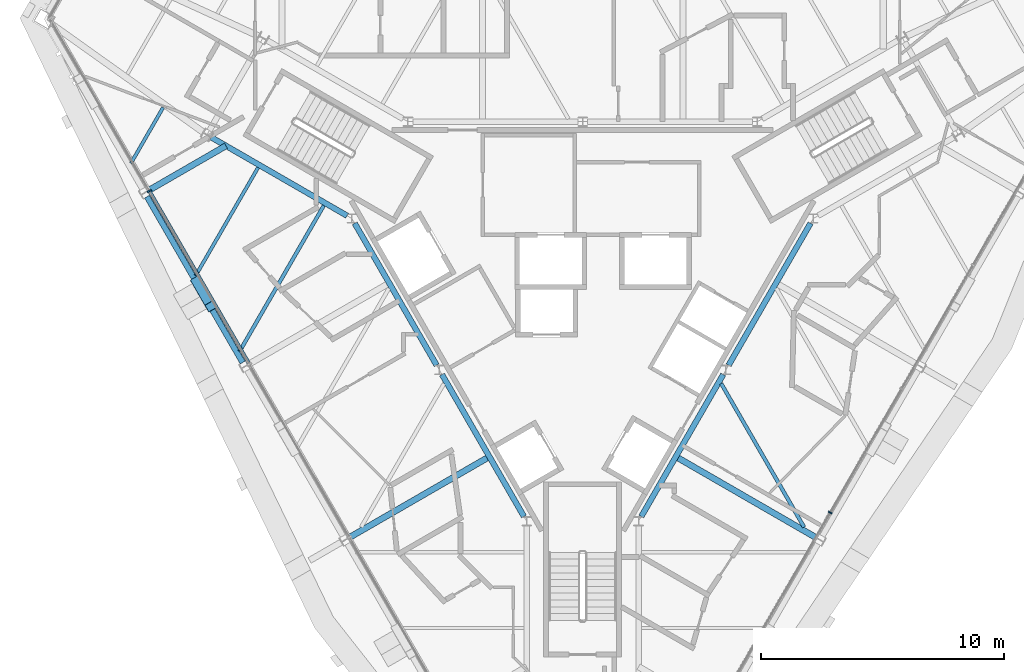
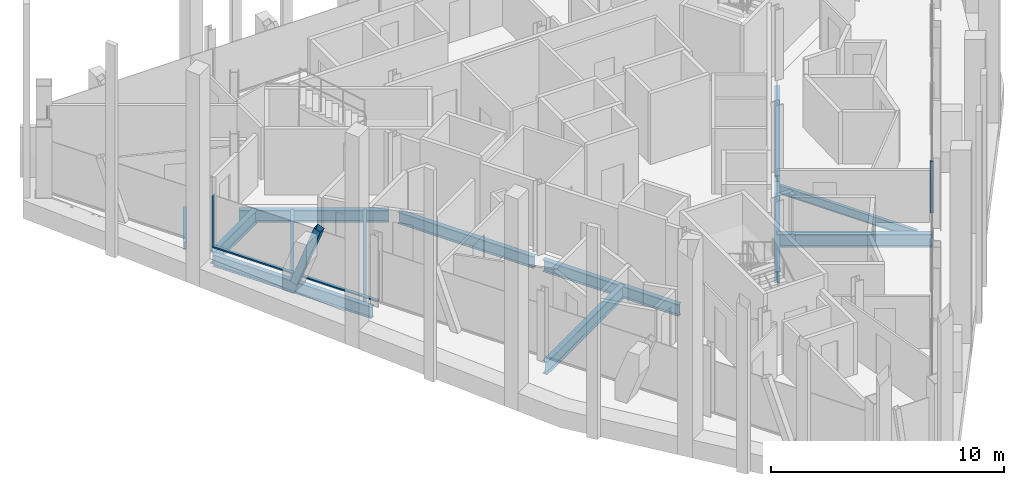
# One storey, part 4 of 15: 13 beams, 4 members, 2 elements without a shape of their own.
"""IFC4 building model written with IfcOpenShell, lengths in metres."""

from ifc_helpers import new_model, si_unit, direction, frame, origin, origin_2d, place, context, subcontext, project, spatial, rectangle, hollow_rectangle, i_section, extrude, material, material_profile, profile_set, type_object, element, aggregate, save


model = new_model("IFC4")

# Units and contexts
model_context = context("Model", 3, precision=1e-05, world=origin(), true_north=direction((0.0, 1.0)))
body_context = subcontext(model_context, "Body", "Model", "MODEL_VIEW")
ifc_project = project(units=[si_unit("LENGTHUNIT", "METRE"), si_unit("AREAUNIT", "SQUARE_METRE"), si_unit("VOLUMEUNIT", "CUBIC_METRE"), si_unit("PLANEANGLEUNIT", "RADIAN"), si_unit("MASSUNIT", "GRAM", prefix="KILO")], contexts=[model_context])

# Site, building, storey
site_placement = place(None, origin())
site = spatial("IfcSite", under=ifc_project, at=site_placement, CompositionType="ELEMENT")
building_placement = place(site_placement, origin())
building = spatial("IfcBuilding", under=site, at=building_placement, Name="Verrane Prism Tower", CompositionType="ELEMENT")
storey_placement = place(building_placement, frame((0.0, 0.0, 297.300048828125)))
storey = spatial("IfcBuildingStorey", under=building, at=storey_placement, Name="L75", CompositionType="ELEMENT", Elevation=297.300048828125)

# Beams
ifc_material_1 = material(Name="Steel A992", Category="steel")
ifc_material_profile_1 = material_profile(ifc_material_1, i_section(OverallWidth=0.23046875, OverallDepth=0.6171875, WebThickness=0.01318359375, FlangeThickness=0.022216796875, FilletRadius=0.012939453125, at=origin_2d()), Name="W24x94")
ifc_profile_set_1 = profile_set([ifc_material_profile_1], Name="Steel A992")
beam_type_1 = type_object("IfcBeamType", Name="Core ring girder W24x94", PredefinedType="BEAM", material=ifc_profile_set_1)
beam_1_placement = place(storey_placement, frame((-15.267333984375, 6.160400390625, -0.55859375), z_axis=(0.866080992722, -0.499903704773, 0.0), x_axis=(0.499903704773, 0.866080992722, 0.0)))
element("IfcBeam", 1, at=beam_1_placement, inside=storey, type_object=beam_type_1, Name="Core ring girder L75", PredefinedType="BEAM", context=body_context, shape_type="SweptSolid", body=[
    extrude(i_section(OverallWidth=0.23046875, OverallDepth=0.6171875, WebThickness=0.01318359375, FlangeThickness=0.022216796875, FilletRadius=0.012939453125, at=origin_2d()), origin(), (0.0, 0.0, 1.0), 6.451904296875),
])
for number, where, z_axis, x_axis, name in (
    (2, (-9.36865234375, 2.626953125, -0.55859375), (0.499881421193, -0.866093854468, 0.0), (0.866093854468, 0.499881421193, 0.0), "Core ring girder L75"),
    (3, (-5.778564453125, -3.593017578125, -0.55859375), (0.499881421193, -0.866093854468, 0.0), (0.866093854468, 0.499881421193, 0.0), "Core ring girder L75"),
    (4, (2.411376953125, -9.427001953125, -0.55859375), (0.499881421193, 0.866093854468, 0.0), (-0.866093854468, 0.499881421193, 0.0), "Core ring girder L75"),
    (5, (6.00146484375, -3.20703125, -0.55859375), (0.499881421193, 0.866093854468, 0.0), (-0.866093854468, 0.499881421193, 0.0), "Core ring girder L75"),
):
    element("IfcBeam", number, at=place(storey_placement, frame(where, z_axis=z_axis, x_axis=x_axis)), inside=storey, type_object=beam_type_1, Name=name, PredefinedType="BEAM", context=body_context, shape_type="SweptSolid", body=[
        extrude(i_section(OverallWidth=0.23046875, OverallDepth=0.6171875, WebThickness=0.01318359375, FlangeThickness=0.022216796875, FilletRadius=0.012939453125, at=origin_2d()), origin(), (0.0, 0.0, 1.0), 6.736083984375),
    ])

# Member
ifc_material_2 = material(Name="Steel A500 Grade C", Category="steel")
ifc_material_profile_2 = material_profile(ifc_material_2, hollow_rectangle(XDim=0.355712890625, YDim=0.355712890625, WallThickness=0.0126953125, InnerFilletRadius=0.00634765625, OuterFilletRadius=0.01904296875, at=origin_2d()), Name="HSS14x14x1/2")
ifc_profile_set_2 = profile_set([ifc_material_profile_2], Name="Steel A500 Grade C")
member_type_1 = type_object("IfcMemberType", Name="Facade brace HSS14x14x1/2", PredefinedType="BRACE", material=ifc_profile_set_2)
member_1_placement = place(storey_placement, frame((-15.893310546875, 0.22900390625, -0.216796875), z_axis=(0.17399901277, -0.301526684269, 0.937446532997), x_axis=(0.86613421761, 0.499811481546, 0.0)))
element("IfcMember", 6, at=member_1_placement, inside=storey, type_object=member_type_1, Name="Facade brace SW1 L75", PredefinedType="BRACE", context=body_context, shape_type="SweptSolid", body=[
    extrude(hollow_rectangle(XDim=0.355712890625, YDim=0.355712890625, WallThickness=0.0126953125, InnerFilletRadius=0.00634765625, OuterFilletRadius=0.01904296875, at=origin_2d()), origin(), (0.0, 0.0, 1.0), 3.40966796875),
])

# Beams
ifc_material_3 = material(Name="Steel A992", Category="steel")
ifc_material_profile_3 = material_profile(ifc_material_3, i_section(OverallWidth=0.140380859375, OverallDepth=0.40380859375, WebThickness=0.007080078125, FlangeThickness=0.01123046875, FilletRadius=0.01025390625, at=origin_2d()), Name="W16x31")
ifc_profile_set_3 = profile_set([ifc_material_profile_3], Name="Steel A992")
beam_type_2 = type_object("IfcBeamType", Name="Floor beam W16x31", PredefinedType="BEAM", material=ifc_profile_set_3)
beam_2_placement = place(storey_placement, frame((-18.565185546875, 5.089599609375, -0.362060546875), z_axis=(0.49994082229, 0.866059567356, 0.0), x_axis=(-0.866059567356, 0.49994082229, 0.0)))
element("IfcBeam", 7, at=beam_2_placement, inside=storey, type_object=beam_type_2, Name="Floor beam L75", PredefinedType="BEAM", context=body_context, shape_type="SweptSolid", body=[
    extrude(i_section(OverallWidth=0.140380859375, OverallDepth=0.40380859375, WebThickness=0.007080078125, FlangeThickness=0.01123046875, FilletRadius=0.01025390625, at=origin_2d()), origin(), (0.0, 0.0, 1.0), 2.645263671875),
])
beam_3_placement = place(storey_placement, frame((-15.902099609375, 0.474609375, -0.362060546875), z_axis=(0.500011000363, 0.866019052629, 0.0), x_axis=(-0.866019052629, 0.500011000363, 0.0)))
element("IfcBeam", 8, at=beam_3_placement, inside=storey, type_object=beam_type_2, Name="Floor beam L75", PredefinedType="BEAM", context=body_context, shape_type="SweptSolid", body=[
    extrude(i_section(OverallWidth=0.140380859375, OverallDepth=0.40380859375, WebThickness=0.007080078125, FlangeThickness=0.01123046875, FilletRadius=0.01025390625, at=origin_2d()), origin(), (0.0, 0.0, 1.0), 5.126953125),
])
ifc_material_4 = material(Name="Steel A992", Category="steel")
ifc_material_profile_4 = material_profile(ifc_material_4, i_section(OverallWidth=0.15234375, OverallDepth=0.449462890625, WebThickness=0.007568359375, FlangeThickness=0.0107421875, FilletRadius=0.01025390625, at=origin_2d()), Name="W18x35")
ifc_profile_set_4 = profile_set([ifc_material_profile_4], Name="Steel A992")
beam_type_3 = type_object("IfcBeamType", Name="Floor beam W18x35", PredefinedType="BEAM", material=ifc_profile_set_4)
beam_4_placement = place(storey_placement, frame((-14.1015625, -2.64599609375, -0.384765625), z_axis=(0.49999287541, 0.866029517129, 0.0), x_axis=(-0.866029517129, 0.49999287541, 0.0)))
element("IfcBeam", 9, at=beam_4_placement, inside=storey, type_object=beam_type_3, Name="Floor beam L75", PredefinedType="BEAM", context=body_context, shape_type="SweptSolid", body=[
    extrude(i_section(OverallWidth=0.15234375, OverallDepth=0.449462890625, WebThickness=0.007568359375, FlangeThickness=0.0107421875, FilletRadius=0.01025390625, at=origin_2d()), origin(), (0.0, 0.0, 1.0), 6.92919921875),
])
beam_5_placement = place(storey_placement, frame((9.103271484375, -9.864501953125, -0.384765625), z_axis=(-0.49999337185, 0.866029230515, 0.0), x_axis=(-0.866029230515, -0.49999337185, 0.0)))
element("IfcBeam", 10, at=beam_5_placement, inside=storey, type_object=beam_type_3, Name="Floor beam L75", PredefinedType="BEAM", context=body_context, shape_type="SweptSolid", body=[
    extrude(i_section(OverallWidth=0.15234375, OverallDepth=0.449462890625, WebThickness=0.007568359375, FlangeThickness=0.0107421875, FilletRadius=0.01025390625, at=origin_2d()), origin(), (0.0, 0.0, 1.0), 6.8125),
])

# Curtain wall, member
ifc_material_5 = material(Name="Aluminium framed insulated glazing", Category="aluminium")
curtain_wall_type_1 = type_object("IfcCurtainWallType", Name="Curtain wall CW-B 5600 module", PredefinedType="NOTDEFINED", material=ifc_material_5)
curtain_wall_1_placement = place(storey_placement, origin())
curtain_wall_1 = element("IfcCurtainWall", 11, at=curtain_wall_1_placement, inside=storey, type_object=curtain_wall_type_1, Name="Glazed curtain wall south-east face L75", PredefinedType="NOTDEFINED")
ifc_material_6 = material(Name="Aluminium alloy 6063-T6", Category="aluminium")
ifc_material_profile_5 = material_profile(ifc_material_6, rectangle(XDim=0.159912109375, YDim=0.06005859375, at=origin_2d()), Name="Mullion 60x160 aluminium")
ifc_profile_set_5 = profile_set([ifc_material_profile_5], Name="Aluminium alloy 6063-T6")
member_type_2 = type_object("IfcMemberType", Name="Mullion 60x160 aluminium", PredefinedType="MULLION", material=ifc_profile_set_5)
member_2_placement = place(storey_placement, frame((10.177978515625, -9.265625, 0.0), z_axis=(0.0, 0.0, 1.0), x_axis=(-0.866024861728, 0.500000938868, 0.0)))
member_2 = element("IfcMember", 12, at=member_2_placement, type_object=member_type_2, Name="CW75.6 mullion 4", PredefinedType="MULLION", context=body_context, shape_type="SweptSolid", body=[
    extrude(rectangle(XDim=0.159912109375, YDim=0.06005859375, at=origin_2d()), origin(), (0.0, 0.0, 1.0), 2.72314453125),
])
aggregate(curtain_wall_1, [member_2])

ifc_material_7 = material(Name="Aluminium framed insulated glazing", Category="aluminium")
curtain_wall_type_2 = type_object("IfcCurtainWallType", Name="Curtain wall CW-A 8400 module", PredefinedType="NOTDEFINED", material=ifc_material_7)
curtain_wall_2_placement = place(storey_placement, origin())
curtain_wall_2 = element("IfcCurtainWall", 13, at=curtain_wall_2_placement, inside=storey, type_object=curtain_wall_type_2, Name="Glazed curtain wall south-west face L75", PredefinedType="NOTDEFINED")
ifc_material_8 = material(Name="Aluminium alloy 6063-T6", Category="aluminium")
ifc_material_profile_6 = material_profile(ifc_material_8, rectangle(XDim=0.199951171875, YDim=0.070068359375, at=origin_2d()), Name="Mullion 70x200 aluminium")
ifc_profile_set_6 = profile_set([ifc_material_profile_6], Name="Aluminium alloy 6063-T6")
member_type_3 = type_object("IfcMemberType", Name="Mullion 70x200 aluminium", PredefinedType="MULLION", material=ifc_profile_set_6)
member_3_placement = place(storey_placement, frame((-17.8095703125, 3.952392578125, 0.0), z_axis=(0.0, 0.0, 1.0), x_axis=(0.866024861728, 0.500000938868, 0.0)))
member_3 = element("IfcMember", 14, at=member_3_placement, type_object=member_type_3, Name="CW75.4 mullion 2", PredefinedType="MULLION", context=body_context, shape_type="SweptSolid", body=[
    extrude(rectangle(XDim=0.199951171875, YDim=0.070068359375, at=origin_2d()), origin(), (0.0, 0.0, 1.0), 2.72314453125),
])

# Beams
ifc_material_9 = material(Name="Steel A992", Category="steel")
ifc_material_profile_7 = material_profile(ifc_material_9, i_section(OverallWidth=0.25390625, OverallDepth=0.683349609375, WebThickness=0.012451171875, FlangeThickness=0.01904296875, FilletRadius=0.01513671875, at=origin_2d()), Name="W27x94")
ifc_profile_set_7 = profile_set([ifc_material_profile_7], Name="Steel A992")
beam_type_4 = type_object("IfcBeamType", Name="Radial girder W27x94", PredefinedType="BEAM", material=ifc_profile_set_7)
beam_6_placement = place(storey_placement, frame((-17.840576171875, 3.97216796875, -0.561767578125), z_axis=(0.866042841795, 0.499969795263, 0.0), x_axis=(-0.499969795263, 0.866042841795, 0.0)))
element("IfcBeam", 15, at=beam_6_placement, inside=storey, type_object=beam_type_4, Name="Radial girder L75", PredefinedType="BEAM", context=body_context, shape_type="SweptSolid", body=[
    extrude(i_section(OverallWidth=0.25390625, OverallDepth=0.683349609375, WebThickness=0.012451171875, FlangeThickness=0.01904296875, FilletRadius=0.01513671875, at=origin_2d()), origin(), (0.0, 0.0, 1.0), 3.674072265625),
])
for number, where, z_axis, x_axis, name in (
    (16, (-9.6005859375, -10.2978515625, -0.561767578125), (0.866031183428, 0.49998998923, 0.0), (-0.49998998923, 0.866031183428, 0.0), "Radial girder L75"),
    (17, (9.6005859375, -10.2978515625, -0.561767578125), (-0.866031183428, 0.49998998923, 0.0), (-0.49998998923, -0.866031183428, 0.0), "Radial girder L75"),
):
    element("IfcBeam", number, at=place(storey_placement, frame(where, z_axis=z_axis, x_axis=x_axis)), inside=storey, type_object=beam_type_4, Name=name, PredefinedType="BEAM", context=body_context, shape_type="SweptSolid", body=[
        extrude(i_section(OverallWidth=0.25390625, OverallDepth=0.683349609375, WebThickness=0.012451171875, FlangeThickness=0.01904296875, FilletRadius=0.01513671875, at=origin_2d()), origin(), (0.0, 0.0, 1.0), 6.661865234375),
    ])
ifc_material_10 = material(Name="Steel A992", Category="steel")
ifc_material_profile_8 = material_profile(ifc_material_10, i_section(OverallWidth=0.23046875, OverallDepth=0.6171875, WebThickness=0.01318359375, FlangeThickness=0.022216796875, FilletRadius=0.012939453125, at=origin_2d()), Name="W24x94")
ifc_profile_set_8 = profile_set([ifc_material_profile_8], Name="Steel A992")
beam_type_5 = type_object("IfcBeamType", Name="Spandrel beam W24x94", PredefinedType="SPANDREL", material=ifc_profile_set_8)
beam_7_placement = place(storey_placement, frame((-17.90673828125, 3.71826171875, -0.46875), z_axis=(0.499786009893, -0.866148915785, 0.0), x_axis=(0.866148915785, 0.499786009893, 0.0)))
element("IfcBeam", 18, at=beam_7_placement, inside=storey, type_object=beam_type_5, Name="Spandrel beam L75", PredefinedType="SPANDREL", context=body_context, shape_type="SweptSolid", body=[
    extrude(i_section(OverallWidth=0.23046875, OverallDepth=0.6171875, WebThickness=0.01318359375, FlangeThickness=0.022216796875, FilletRadius=0.012939453125, at=origin_2d()), origin(), (0.0, 0.0, 1.0), 7.8701171875),
])

# Member
ifc_material_11 = material(Name="Aluminium alloy 6063-T6", Category="aluminium")
ifc_material_profile_9 = material_profile(ifc_material_11, rectangle(XDim=0.14990234375, YDim=0.070068359375, at=origin_2d()), Name="Transom 70x150 aluminium")
ifc_profile_set_9 = profile_set([ifc_material_profile_9], Name="Aluminium alloy 6063-T6")
member_type_4 = type_object("IfcMemberType", Name="Transom 70x150 aluminium", PredefinedType="USERDEFINED", material=ifc_profile_set_9)
member_4_placement = place(storey_placement, frame((-17.7919921875, 3.922119140625, 0.034912109375), z_axis=(0.500006018292, -0.866021929094, 0.0), x_axis=(0.866021929094, 0.500006018292, 0.0)))
member_4 = element("IfcMember", 19, at=member_4_placement, type_object=member_type_4, Name="CW75.4 transom 2", ObjectType="TRANSOM", PredefinedType="USERDEFINED", context=body_context, shape_type="SweptSolid", body=[
    extrude(rectangle(XDim=0.14990234375, YDim=0.070068359375, at=origin_2d()), origin(), (0.0, 0.0, 1.0), 8.1484375),
])

aggregate(curtain_wall_2, [member_3, member_4])

save(model, "model.ifc")
